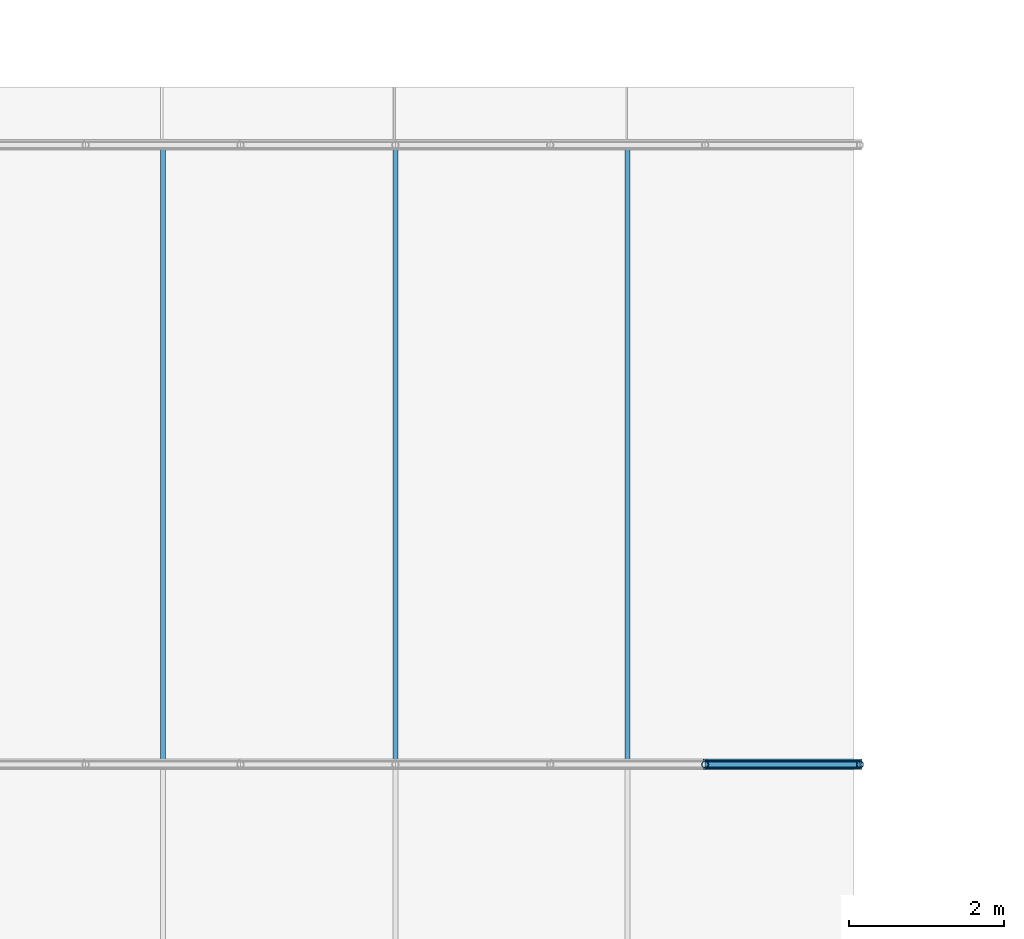
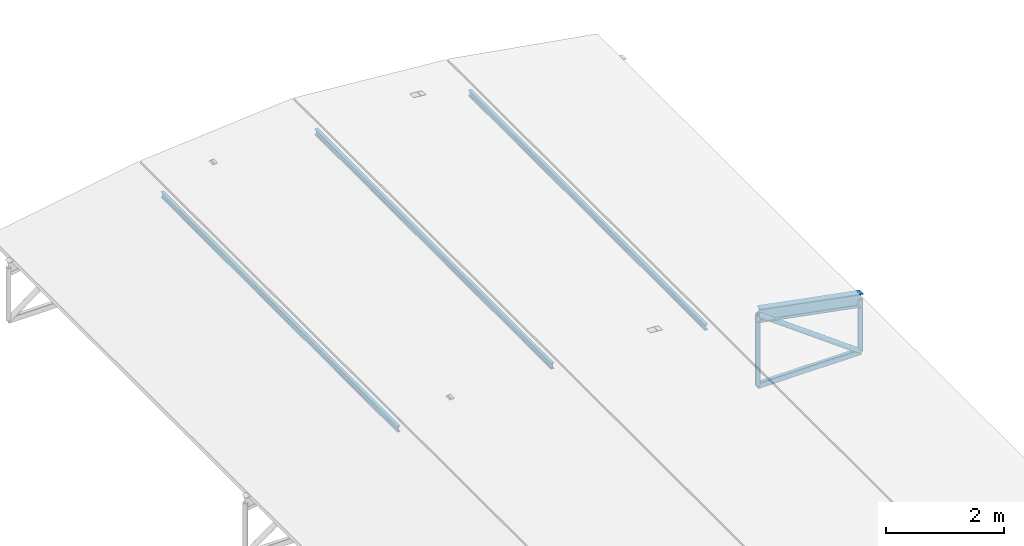
# One storey, part 46 of 54: 8 members.
"""IFC4 building model written with IfcOpenShell, lengths in metres."""

from ifc_helpers import new_model, si_unit, derived_unit, direction, frame, origin, origin_2d, place, context, subcontext, project, spatial, hollow_rectangle, hollow_circle, i_section, extrude, material, material_profile, profile_set, type_object, element, save


model = new_model("IFC4")

# Units and contexts
model_context = context("Model", 3, precision=1e-05, world=origin(), true_north=direction((0.0, 1.0)))
body_context = subcontext(model_context, "Body", "Model", "MODEL_VIEW")
ifc_project = project(units=[si_unit("LENGTHUNIT", "METRE"), si_unit("AREAUNIT", "SQUARE_METRE"), si_unit("VOLUMEUNIT", "CUBIC_METRE"), si_unit("PLANEANGLEUNIT", "RADIAN"), si_unit("MASSUNIT", "GRAM", prefix="KILO"), derived_unit("THERMALTRANSMITTANCEUNIT", [(si_unit("POWERUNIT", "WATT"), 1), (si_unit("LENGTHUNIT", "METRE"), -2), (si_unit("THERMODYNAMICTEMPERATUREUNIT", "KELVIN"), -1)])], contexts=[model_context])

# Site, building, storey
site_placement = place(None, origin())
site = spatial("IfcSite", under=ifc_project, at=site_placement, CompositionType="ELEMENT")
building_placement = place(site_placement, origin())
building = spatial("IfcBuilding", under=site, at=building_placement, Name="Keldorne Ridge Multi-Sports Centre", CompositionType="ELEMENT")
storey_placement = place(building_placement, frame((0.0, 0.0, 22.199951171875)))
storey = spatial("IfcBuildingStorey", under=building, at=storey_placement, Name="ROOF", CompositionType="ELEMENT", Elevation=22.199951171875)

# Members
ifc_material = material(Name="Steel S355", Category="steel")
ifc_material_profile_1 = material_profile(ifc_material, i_section(OverallWidth=0.06396484375, OverallDepth=0.1201171875, WebThickness=0.00439453125, FlangeThickness=0.00634765625, FilletRadius=0.007080078125, at=origin_2d()), Name="IPE 120")
ifc_profile_set_1 = profile_set([ifc_material_profile_1], Name="Steel S355")
member_type_1 = type_object("IfcMemberType", Name="MEM-PR-05", PredefinedType="PURLIN", material=ifc_profile_set_1)
for number, where, z_axis, x_axis, name in (
    (1, (87.0, 106.0, -12.179931640625), (0.0, 1.0, 0.0), (-1.0, 0.0, 0.0), "Public Passage canopy purlin 87.13"),
    (2, (90.0, 106.0, -11.929931640625), (0.0, 1.0, 0.0), (-1.0, 0.0, 0.0), "Public Passage canopy purlin 90.13"),
    (3, (93.0, 106.0, -12.179931640625), (0.0, 1.0, 0.0), (-1.0, 0.0, 0.0), "Public Passage canopy purlin 93.13"),
):
    element("IfcMember", number, at=place(storey_placement, frame(where, z_axis=z_axis, x_axis=x_axis)), inside=storey, type_object=member_type_1, Name=name, PredefinedType="PURLIN", context=body_context, shape_type="SweptSolid", body=[
        extrude(i_section(OverallWidth=0.06396484375, OverallDepth=0.1201171875, WebThickness=0.00439453125, FlangeThickness=0.00634765625, FilletRadius=0.007080078125, at=origin_2d()), origin(), (0.0, 0.0, 1.0), 8.0),
    ])
ifc_material_profile_2 = material_profile(ifc_material, i_section(OverallWidth=0.135009765625, OverallDepth=0.27001953125, WebThickness=0.006591796875, FlangeThickness=0.01025390625, FilletRadius=0.014892578125, at=origin_2d()), Name="IPE 270")
ifc_profile_set_2 = profile_set([ifc_material_profile_2], Name="Steel S355")
member_type_2 = type_object("IfcMemberType", Name="MEM-RF-02", PredefinedType="RAFTER", material=ifc_profile_set_2)
member_1_placement = place(storey_placement, frame((94.0, 106.0, -12.260009765625), z_axis=(0.982435006317, 0.0, -0.186605086649), x_axis=(0.0, 1.0, 0.0)))
element("IfcMember", 4, at=member_1_placement, inside=storey, type_object=member_type_2, Name="Public Passage bowstring arch top chord 13.6", PredefinedType="RAFTER", context=body_context, shape_type="SweptSolid", body=[
    extrude(i_section(OverallWidth=0.135009765625, OverallDepth=0.27001953125, WebThickness=0.006591796875, FlangeThickness=0.01025390625, FilletRadius=0.014892578125, at=origin_2d()), origin(), (0.0, 0.0, 1.0), 2.03564453125),
])
ifc_material_profile_3 = material_profile(ifc_material, hollow_rectangle(XDim=0.080078125, YDim=0.1201171875, WallThickness=0.008056640625, InnerFilletRadius=0.008056640625, OuterFilletRadius=0.01611328125, at=origin_2d()), Name="RHS 120x80x8")
ifc_profile_set_3 = profile_set([ifc_material_profile_3], Name="Steel S355")
member_type_3 = type_object("IfcMemberType", Name="MEM-TC-07", PredefinedType="CHORD", material=ifc_profile_set_3)
member_2_placement = place(storey_placement, frame((94.0, 106.0, -13.719970703125), z_axis=(1.0, 0.0, 0.0), x_axis=(0.0, 1.0, 0.0)))
element("IfcMember", 5, at=member_2_placement, inside=storey, type_object=member_type_3, Name="Public Passage bowstring tie chord 13.6", PredefinedType="CHORD", context=body_context, shape_type="SweptSolid", body=[
    extrude(hollow_rectangle(XDim=0.080078125, YDim=0.1201171875, WallThickness=0.008056640625, InnerFilletRadius=0.008056640625, OuterFilletRadius=0.01611328125, at=origin_2d()), origin(), (0.0, 0.0, 1.0), 2.0),
])
ifc_material_profile_4 = material_profile(ifc_material, hollow_circle(Radius=0.05078125, WallThickness=0.00634765625, at=origin_2d()), Name="CHS 101.6x6.3")
ifc_profile_set_4 = profile_set([ifc_material_profile_4], Name="Steel S355")
member_type_4 = type_object("IfcMemberType", Name="MEM-TD-05", PredefinedType="BRACE", material=ifc_profile_set_4)
member_3_placement = place(storey_placement, frame((94.0, 106.0, -12.260009765625), z_axis=(0.8076945033, 0.0, -0.589601212125), x_axis=(0.0, 1.0, 0.0)))
element("IfcMember", 6, at=member_3_placement, inside=storey, type_object=member_type_4, Name="Public Passage bowstring web diagonal 13.6", PredefinedType="BRACE", context=body_context, shape_type="SweptSolid", body=[
    extrude(hollow_circle(Radius=0.05078125, WallThickness=0.00634765625, at=origin_2d()), origin(), (0.0, 0.0, 1.0), 2.47607421875),
])
ifc_material_profile_5 = material_profile(ifc_material, hollow_circle(Radius=0.04443359375, WallThickness=0.0048828125, at=origin_2d()), Name="CHS 88.9x5")
ifc_profile_set_5 = profile_set([ifc_material_profile_5], Name="Steel S355")
member_type_5 = type_object("IfcMemberType", Name="MEM-TV-07", PredefinedType="STRUT", material=ifc_profile_set_5)
member_4_placement = place(storey_placement, frame((94.0, 106.0, -13.719970703125), z_axis=(0.0, 0.0, 1.0), x_axis=(1.0, 0.0, 0.0)))
element("IfcMember", 7, at=member_4_placement, inside=storey, type_object=member_type_5, Name="Public Passage bowstring hanger 13.6", PredefinedType="STRUT", context=body_context, shape_type="SweptSolid", body=[
    extrude(hollow_circle(Radius=0.04443359375, WallThickness=0.0048828125, at=origin_2d()), origin(), (0.0, 0.0, 1.0), 1.4599609375),
])
member_5_placement = place(storey_placement, frame((96.0, 106.0, -13.719970703125), z_axis=(0.0, 0.0, 1.0), x_axis=(1.0, 0.0, 0.0)))
element("IfcMember", 8, at=member_5_placement, inside=storey, type_object=member_type_5, Name="Public Passage bowstring hanger 13.7", PredefinedType="STRUT", context=body_context, shape_type="SweptSolid", body=[
    extrude(hollow_circle(Radius=0.04443359375, WallThickness=0.0048828125, at=origin_2d()), origin(), (0.0, 0.0, 1.0), 1.080078125),
])

save(model, "model.ifc")
